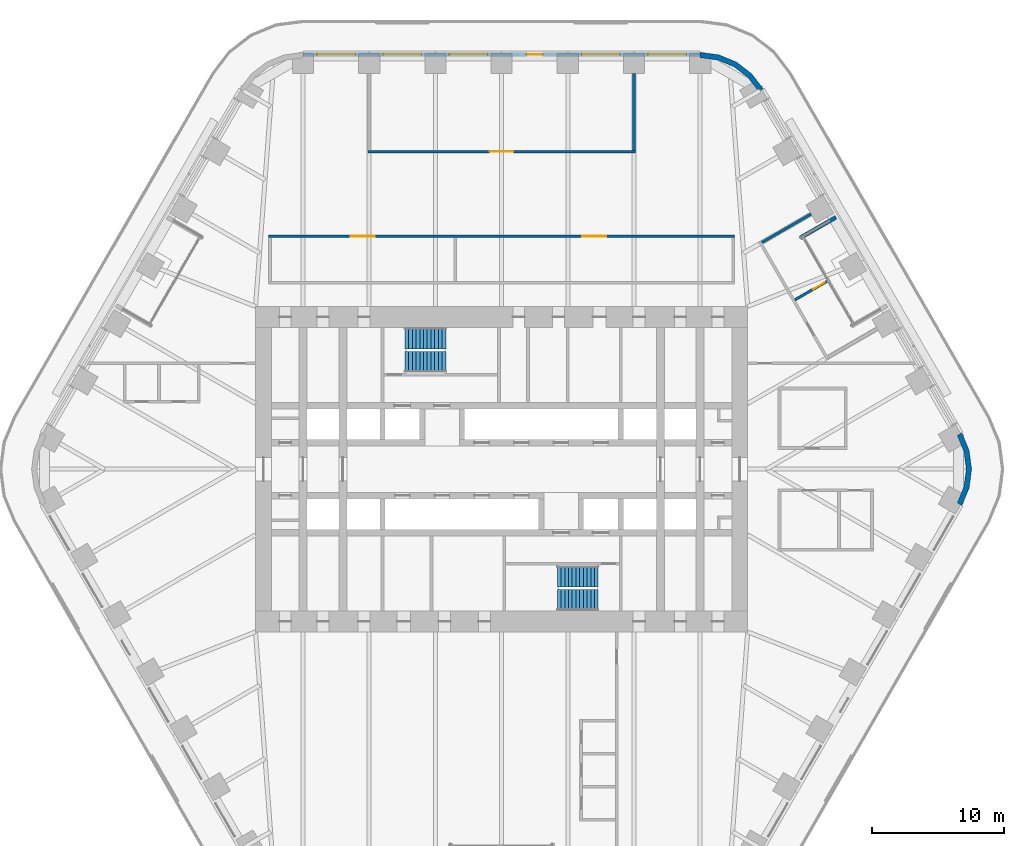
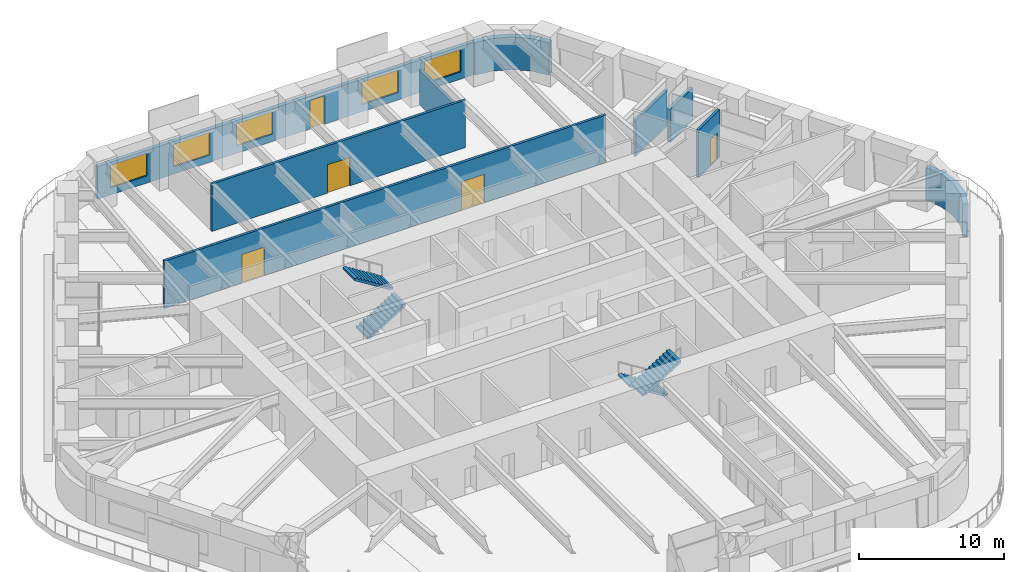
# One storey, part 21 of 24: 9 walls, 5 doors, 5 windows, 4 stair flights, 10 openings, 2 elements without a shape of their own.
"""IFC4 building model written with IfcOpenShell, lengths in metres."""

from ifc_helpers import new_model, si_unit, direction, frame, frame_2d, origin, place, context, subcontext, project, spatial, polyline, rectangle, outline, extrude, material, layer, layer_set, type_object, element, fill, aggregate, save


model = new_model("IFC4")

# Units and contexts
model_context = context("Model", 3, precision=1e-05, world=origin(), true_north=direction((0.0, 1.0)))
body_context = subcontext(model_context, "Body", "Model", "MODEL_VIEW")
ifc_project = project(units=[si_unit("LENGTHUNIT", "METRE"), si_unit("AREAUNIT", "SQUARE_METRE"), si_unit("VOLUMEUNIT", "CUBIC_METRE"), si_unit("PLANEANGLEUNIT", "RADIAN"), si_unit("MASSUNIT", "GRAM", prefix="KILO")], contexts=[model_context])

# Site, building, storey
site_placement = place(None, origin())
site = spatial("IfcSite", under=ifc_project, at=site_placement, CompositionType="ELEMENT")
building_placement = place(site_placement, origin())
building = spatial("IfcBuilding", under=site, at=building_placement, Name="Tarfa Lantern Tower", CompositionType="ELEMENT")
storey_placement = place(building_placement, frame((0.0, 0.0, 144.699951171875)))
storey = spatial("IfcBuildingStorey", under=building, at=storey_placement, Name="L32", CompositionType="ELEMENT", Elevation=144.699951171875)

# Wall
ifc_material_1 = material(Name="Limestone cladding on blockwork", Category="masonry")
ifc_layer_1 = layer(ifc_material_1, 0.300048828125)
ifc_layer_set_1 = layer_set([ifc_layer_1], Name="EW1 STONE-CLAD WALL 300")
wall_type_1 = type_object("IfcWallType", Name="EW1 STONE-CLAD WALL 300", PredefinedType="SOLIDWALL", material=ifc_layer_set_1)
wall_1_placement = place(storey_placement, frame((25.266357421875, 19.037353515625, 0.0), z_axis=(0.0, 0.0, 1.0), x_axis=(-0.86600983753, -0.500026960575, 0.0)))
element("IfcWall", 1, at=wall_1_placement, inside=storey, type_object=wall_type_1, Name="Loggia return NE 2", PredefinedType="SOLIDWALL", context=body_context, shape_type="SweptSolid", body=[
    extrude(rectangle(XDim=3.099853515625, YDim=0.300048828125, at=frame_2d((1.5498046875, 0.0))), origin(), (0.0, 0.0, 1.0), 2.75),
])

# Wall, openings, door, windows
wall_2_placement = place(storey_placement, frame((15.010986328125, 31.35009765625, 0.0), z_axis=(0.0, 0.0, 1.0), x_axis=(-1.0, 0.0, 0.0)))
wall_2 = element("IfcWall", 2, at=wall_2_placement, inside=storey, type_object=wall_type_1, Name="Stone wall N", PredefinedType="SOLIDWALL", context=body_context, shape_type="SweptSolid", body=[
    extrude(rectangle(XDim=30.02197265625, YDim=0.300048828125, at=frame_2d((15.010986328125, 0.0))), origin(), (0.0, 0.0, 1.0), 2.75),
])
opening_1_placement = place(wall_2_placement, frame((1.0517578125, 0.0, 0.60009765625)))
opening_1 = element("IfcOpeningElement", 3, at=opening_1_placement, cuts=wall_2, Name="Opening W9", PredefinedType="OPENING", context=body_context, shape_type="SweptSolid", body=[
    extrude(rectangle(XDim=2.89990234375, YDim=1.89990234375, at=frame_2d((1.449951171875, 0.949951171875))), frame((0.0, 0.159912109375, 0.0), z_axis=(0.0, -1.0, 0.0), x_axis=(1.0, 0.0, 0.0)), (0.0, 0.0, 1.0), 0.320068359375),
])
opening_2_placement = place(wall_2_placement, frame((6.0556640625, 0.0, 0.60009765625)))
opening_2 = element("IfcOpeningElement", 4, at=opening_2_placement, cuts=wall_2, Name="Opening W9", PredefinedType="OPENING", context=body_context, shape_type="SweptSolid", body=[
    extrude(rectangle(XDim=2.89990234375, YDim=1.89990234375, at=frame_2d((1.449951171875, 0.949951171875))), frame((0.0, 0.159912109375, 0.0), z_axis=(0.0, -1.0, 0.0), x_axis=(1.0, 0.0, 0.0)), (0.0, 0.0, 1.0), 0.320068359375),
])
opening_3_placement = place(wall_2_placement, frame((11.9091796875, 0.0, 0.0)))
opening_3 = element("IfcOpeningElement", 5, at=opening_3_placement, cuts=wall_2, Name="Opening D49", PredefinedType="OPENING", context=body_context, shape_type="SweptSolid", body=[
    extrude(rectangle(XDim=1.199951171875, YDim=2.39990234375, at=frame_2d((0.60009765625, 1.199951171875))), frame((0.0, 0.159912109375, 0.0), z_axis=(0.0, -1.0, 0.0), x_axis=(1.0, 0.0, 0.0)), (0.0, 0.0, 1.0), 0.320068359375),
])
opening_4_placement = place(wall_2_placement, frame((16.06298828125, 0.0, 0.60009765625)))
opening_4 = element("IfcOpeningElement", 6, at=opening_4_placement, cuts=wall_2, Name="Opening W9", PredefinedType="OPENING", context=body_context, shape_type="SweptSolid", body=[
    extrude(rectangle(XDim=2.89990234375, YDim=1.89990234375, at=frame_2d((1.449951171875, 0.949951171875))), frame((0.0, 0.159912109375, 0.0), z_axis=(0.0, -1.0, 0.0), x_axis=(1.0, 0.0, 0.0)), (0.0, 0.0, 1.0), 0.320068359375),
])
opening_5_placement = place(wall_2_placement, frame((21.066650390625, 0.0, 0.60009765625)))
opening_5 = element("IfcOpeningElement", 7, at=opening_5_placement, cuts=wall_2, Name="Opening W9", PredefinedType="OPENING", context=body_context, shape_type="SweptSolid", body=[
    extrude(rectangle(XDim=2.89990234375, YDim=1.89990234375, at=frame_2d((1.449951171875, 0.949951171875))), frame((0.0, 0.159912109375, 0.0), z_axis=(0.0, -1.0, 0.0), x_axis=(1.0, 0.0, 0.0)), (0.0, 0.0, 1.0), 0.320068359375),
])
opening_6_placement = place(wall_2_placement, frame((26.0703125, 0.0, 0.60009765625)))
opening_6 = element("IfcOpeningElement", 8, at=opening_6_placement, cuts=wall_2, Name="Opening W9", PredefinedType="OPENING", context=body_context, shape_type="SweptSolid", body=[
    extrude(rectangle(XDim=2.89990234375, YDim=1.89990234375, at=frame_2d((1.449951171875, 0.949951171875))), frame((0.0, 0.159912109375, 0.0), z_axis=(0.0, -1.0, 0.0), x_axis=(1.0, 0.0, 0.0)), (0.0, 0.0, 1.0), 0.320068359375),
])
ifc_material_2 = material(Name="Aluminium framed glazed door", Category="aluminium")
door_type_1 = type_object("IfcDoorType", Name="BE3 BALCONY DOOR 1200x2400", OperationType="SINGLE_SWING_RIGHT", PredefinedType="DOOR", material=ifc_material_2)
door_1_placement = place(opening_3_placement, origin())
door_1 = element("IfcDoor", 9, at=door_1_placement, inside=storey, type_object=door_type_1, Name="Balcony door N", OperationType="SINGLE_SWING_RIGHT", OverallHeight=2.39990234375, OverallWidth=1.199951171875, PredefinedType="DOOR", context=body_context, shape_type="SweptSolid", body=[
    extrude(rectangle(XDim=1.199951171875, YDim=2.39990234375, at=frame_2d((0.60009765625, 1.199951171875))), frame((0.0, 0.02490234375, 0.0), z_axis=(0.0, -1.0, 0.0), x_axis=(1.0, 0.0, 0.0)), (0.0, 0.0, 1.0), 0.050048828125),
])
fill(opening_3, door_1)
ifc_material_3 = material(Name="Aluminium frame, double glazed", Category="aluminium")
window_type = type_object("IfcWindowType", Name="W9 FULL-HEIGHT GLAZING 2900x1900", PartitioningType="SINGLE_PANEL", PredefinedType="WINDOW", material=ifc_material_3)
window_1_placement = place(opening_1_placement, origin())
window_1 = element("IfcWindow", 10, at=window_1_placement, inside=storey, type_object=window_type, Name="Window N 1", OverallHeight=1.89990234375, OverallWidth=2.89990234375, PartitioningType="SINGLE_PANEL", PredefinedType="WINDOW", context=body_context, shape_type="SweptSolid", body=[
    extrude(rectangle(XDim=2.89990234375, YDim=1.89990234375, at=frame_2d((1.449951171875, 0.949951171875))), frame((0.0, 0.030029296875, 0.0), z_axis=(0.0, -1.0, 0.0), x_axis=(1.0, 0.0, 0.0)), (0.0, 0.0, 1.0), 0.06005859375),
])
fill(opening_1, window_1)
window_2_placement = place(opening_2_placement, origin())
window_2 = element("IfcWindow", 11, at=window_2_placement, inside=storey, type_object=window_type, Name="Window N 2", OverallHeight=1.89990234375, OverallWidth=2.89990234375, PartitioningType="SINGLE_PANEL", PredefinedType="WINDOW", context=body_context, shape_type="SweptSolid", body=[
    extrude(rectangle(XDim=2.89990234375, YDim=1.89990234375, at=frame_2d((1.449951171875, 0.949951171875))), frame((0.0, 0.030029296875, 0.0), z_axis=(0.0, -1.0, 0.0), x_axis=(1.0, 0.0, 0.0)), (0.0, 0.0, 1.0), 0.06005859375),
])
fill(opening_2, window_2)
window_3_placement = place(opening_4_placement, origin())
window_3 = element("IfcWindow", 12, at=window_3_placement, inside=storey, type_object=window_type, Name="Window N 4", OverallHeight=1.89990234375, OverallWidth=2.89990234375, PartitioningType="SINGLE_PANEL", PredefinedType="WINDOW", context=body_context, shape_type="SweptSolid", body=[
    extrude(rectangle(XDim=2.89990234375, YDim=1.89990234375, at=frame_2d((1.449951171875, 0.949951171875))), frame((0.0, 0.030029296875, 0.0), z_axis=(0.0, -1.0, 0.0), x_axis=(1.0, 0.0, 0.0)), (0.0, 0.0, 1.0), 0.06005859375),
])
fill(opening_4, window_3)
window_4_placement = place(opening_5_placement, origin())
window_4 = element("IfcWindow", 13, at=window_4_placement, inside=storey, type_object=window_type, Name="Window N 5", OverallHeight=1.89990234375, OverallWidth=2.89990234375, PartitioningType="SINGLE_PANEL", PredefinedType="WINDOW", context=body_context, shape_type="SweptSolid", body=[
    extrude(rectangle(XDim=2.89990234375, YDim=1.89990234375, at=frame_2d((1.449951171875, 0.949951171875))), frame((0.0, 0.030029296875, 0.0), z_axis=(0.0, -1.0, 0.0), x_axis=(1.0, 0.0, 0.0)), (0.0, 0.0, 1.0), 0.06005859375),
])
fill(opening_5, window_4)
window_5_placement = place(opening_6_placement, origin())
window_5 = element("IfcWindow", 14, at=window_5_placement, inside=storey, type_object=window_type, Name="Window N 6", OverallHeight=1.89990234375, OverallWidth=2.89990234375, PartitioningType="SINGLE_PANEL", PredefinedType="WINDOW", context=body_context, shape_type="SweptSolid", body=[
    extrude(rectangle(XDim=2.89990234375, YDim=1.89990234375, at=frame_2d((1.449951171875, 0.949951171875))), frame((0.0, 0.030029296875, 0.0), z_axis=(0.0, -1.0, 0.0), x_axis=(1.0, 0.0, 0.0)), (0.0, 0.0, 1.0), 0.06005859375),
])
fill(opening_6, window_5)

# Walls
ifc_layer_2 = layer(ifc_material_1, 0.39990234375)
ifc_layer_set_2 = layer_set([ifc_layer_2], Name="EW2 CURVED STONE CORNER 400")
wall_type_2 = type_object("IfcWallType", Name="EW2 CURVED STONE CORNER 400", PredefinedType="SOLIDWALL", material=ifc_layer_set_2)
wall_3_placement = place(storey_placement, origin())
element("IfcWall", 15, at=wall_3_placement, inside=storey, type_object=wall_type_2, Name="Stone corner NE-N", PredefinedType="SOLIDWALL", context=body_context, shape_type="SweptSolid", body=[
    extrude(outline(polyline([(19.774169921875, 28.75), (18.900146484375, 29.88916015625), (17.760986328125, 30.76318359375), (16.4345703125, 31.3125), (15.010986328125, 31.5), (15.010986328125, 31.10009765625), (16.3310546875, 30.92626953125), (17.56103515625, 30.416748046875), (18.617431640625, 29.606201171875), (19.427734375, 28.550048828125), (19.774169921875, 28.75)])), origin(), (0.0, 0.0, 1.0), 2.75),
])
wall_4_placement = place(storey_placement, origin())
element("IfcWall", 16, at=wall_4_placement, inside=storey, type_object=wall_type_2, Name="Stone corner SE-NE", PredefinedType="SOLIDWALL", context=body_context, shape_type="SweptSolid", body=[
    extrude(outline(polyline([(34.785400390625, -2.75), (35.334716796875, -1.423583984375), (35.522216796875, 0.0), (35.334716796875, 1.423583984375), (34.785400390625, 2.75), (34.43896484375, 2.550048828125), (34.948486328125, 1.320068359375), (35.122314453125, 0.0), (34.948486328125, -1.320068359375), (34.43896484375, -2.550048828125), (34.785400390625, -2.75)])), origin(), (0.0, 0.0, 1.0), 2.75),
])

# Wall, openings, doors
ifc_material_4 = material(Name="Gypsum board on steel studs", Category="steel")
ifc_layer_3 = layer(ifc_material_4, 0.2099609375)
ifc_layer_set_3 = layer_set([ifc_layer_3], Name="IW2 ACOUSTIC PARTITION 200")
wall_type_3 = type_object("IfcWallType", Name="IW2 ACOUSTIC PARTITION 200", PredefinedType="PARTITIONING", material=ifc_layer_set_3)
wall_5_placement = place(storey_placement, frame((-17.60009765625, 17.60009765625, 0.0), z_axis=(0.0, 0.0, 1.0), x_axis=(1.0, 0.0, 0.0)))
wall_5 = element("IfcWall", 17, at=wall_5_placement, inside=storey, type_object=wall_type_3, Name="Partition", PredefinedType="PARTITIONING", context=body_context, shape_type="SweptSolid", body=[
    extrude(rectangle(XDim=35.2001953125, YDim=0.199951171875, at=frame_2d((17.60009765625, 0.0))), origin(), (0.0, 0.0, 1.0), 4.0),
])
opening_7_placement = place(wall_5_placement, frame((6.199951171875, 0.0, 0.0)))
opening_7 = element("IfcOpeningElement", 18, at=opening_7_placement, cuts=wall_5, Name="Opening D39", PredefinedType="OPENING", context=body_context, shape_type="SweptSolid", body=[
    extrude(rectangle(XDim=1.800048828125, YDim=2.39990234375, at=frame_2d((0.89990234375, 1.199951171875))), frame((0.0, 0.10986328125, 0.0), z_axis=(0.0, -1.0, 0.0), x_axis=(1.0, 0.0, 0.0)), (0.0, 0.0, 1.0), 0.219970703125),
])
opening_8_placement = place(wall_5_placement, frame((23.699951171875, 0.0, 0.0)))
opening_8 = element("IfcOpeningElement", 19, at=opening_8_placement, cuts=wall_5, Name="Opening D40", PredefinedType="OPENING", context=body_context, shape_type="SweptSolid", body=[
    extrude(rectangle(XDim=1.800048828125, YDim=2.39990234375, at=frame_2d((0.89990234375, 1.199951171875))), frame((0.0, 0.10986328125, 0.0), z_axis=(0.0, -1.0, 0.0), x_axis=(1.0, 0.0, 0.0)), (0.0, 0.0, 1.0), 0.219970703125),
])
ifc_material_5 = material(Name="Timber door", Category="wood")
door_type_2 = type_object("IfcDoorType", Name="DR2 ROOM DOOR 1800x2400", OperationType="DOUBLE_DOOR_SINGLE_SWING", PredefinedType="DOOR", material=ifc_material_5)
door_2_placement = place(opening_7_placement, frame((1.800048828125, 0.0, 0.0), z_axis=(0.0, 0.0, 1.0), x_axis=(-1.0, 0.0, 0.0)))
door_2 = element("IfcDoor", 20, at=door_2_placement, inside=storey, type_object=door_type_2, Name="Dealer support room door", OperationType="DOUBLE_DOOR_SINGLE_SWING", OverallHeight=2.39990234375, OverallWidth=1.800048828125, PredefinedType="DOOR", context=body_context, shape_type="SweptSolid", body=[
    extrude(rectangle(XDim=1.800048828125, YDim=2.39990234375, at=frame_2d((0.89990234375, 1.199951171875))), frame((0.0, 0.02490234375, 0.0), z_axis=(0.0, -1.0, 0.0), x_axis=(1.0, 0.0, 0.0)), (0.0, 0.0, 1.0), 0.050048828125),
])
fill(opening_7, door_2)
door_3_placement = place(opening_8_placement, frame((1.800048828125, 0.0, 0.0), z_axis=(0.0, 0.0, 1.0), x_axis=(-1.0, 0.0, 0.0)))
door_3 = element("IfcDoor", 21, at=door_3_placement, inside=storey, type_object=door_type_2, Name="Settlement office door", OperationType="DOUBLE_DOOR_SINGLE_SWING", OverallHeight=2.39990234375, OverallWidth=1.800048828125, PredefinedType="DOOR", context=body_context, shape_type="SweptSolid", body=[
    extrude(rectangle(XDim=1.800048828125, YDim=2.39990234375, at=frame_2d((0.89990234375, 1.199951171875))), frame((0.0, 0.02490234375, 0.0), z_axis=(0.0, -1.0, 0.0), x_axis=(1.0, 0.0, 0.0)), (0.0, 0.0, 1.0), 0.050048828125),
])
fill(opening_8, door_3)

# Wall, opening, door
wall_6_placement = place(storey_placement, frame((10.107421875, 24.0, 0.0), z_axis=(0.0, 0.0, 1.0), x_axis=(-1.0, 0.0, 0.0)))
wall_6 = element("IfcWall", 22, at=wall_6_placement, inside=storey, type_object=wall_type_3, Name="Partition", PredefinedType="PARTITIONING", context=body_context, shape_type="SweptSolid", body=[
    extrude(rectangle(XDim=20.21484375, YDim=0.199951171875, at=frame_2d((10.107421875, 0.0))), origin(), (0.0, 0.0, 1.0), 4.0),
])
opening_9_placement = place(wall_6_placement, frame((9.20751953125, 0.0, 0.0)))
opening_9 = element("IfcOpeningElement", 23, at=opening_9_placement, cuts=wall_6, Name="Opening D36", PredefinedType="OPENING", context=body_context, shape_type="SweptSolid", body=[
    extrude(rectangle(XDim=1.800048828125, YDim=2.39990234375, at=frame_2d((0.89990234375, 1.199951171875))), frame((0.0, 0.10986328125, 0.0), z_axis=(0.0, -1.0, 0.0), x_axis=(1.0, 0.0, 0.0)), (0.0, 0.0, 1.0), 0.219970703125),
])
door_4_placement = place(opening_9_placement, frame((1.800048828125, 0.0, 0.0), z_axis=(0.0, 0.0, 1.0), x_axis=(-1.0, 0.0, 0.0)))
door_4 = element("IfcDoor", 24, at=door_4_placement, inside=storey, type_object=door_type_2, Name="Dealing room door", OperationType="DOUBLE_DOOR_SINGLE_SWING", OverallHeight=2.39990234375, OverallWidth=1.800048828125, PredefinedType="DOOR", context=body_context, shape_type="SweptSolid", body=[
    extrude(rectangle(XDim=1.800048828125, YDim=2.39990234375, at=frame_2d((0.89990234375, 1.199951171875))), frame((0.0, 0.02490234375, 0.0), z_axis=(0.0, -1.0, 0.0), x_axis=(1.0, 0.0, 0.0)), (0.0, 0.0, 1.0), 0.050048828125),
])
fill(opening_9, door_4)

# Wall
wall_7_placement = place(storey_placement, frame((10.00732421875, 24.10009765625, 0.0), z_axis=(0.0, 0.0, 1.0), x_axis=(0.0, 1.0, 0.0)))
element("IfcWall", 25, at=wall_7_placement, inside=storey, type_object=wall_type_3, Name="Partition", PredefinedType="PARTITIONING", context=body_context, shape_type="SweptSolid", body=[
    extrude(rectangle(XDim=5.7998046875, YDim=0.199951171875, at=frame_2d((2.89990234375, 0.0))), origin(), (0.0, 0.0, 1.0), 2.991943359375),
])

# Wall, opening, door
wall_8_placement = place(storey_placement, frame((22.170166015625, 12.800048828125, 0.0), z_axis=(0.0, 0.0, 1.0), x_axis=(0.866044046824, 0.499967707918, 0.0)))
wall_8 = element("IfcWall", 26, at=wall_8_placement, inside=storey, type_object=wall_type_3, Name="Partition", PredefinedType="PARTITIONING", context=body_context, shape_type="SweptSolid", body=[
    extrude(rectangle(XDim=2.901123046875, YDim=0.199951171875, at=frame_2d((1.45068359375, 0.0))), origin(), (0.0, 0.0, 1.0), 4.0),
])
opening_10_placement = place(wall_8_placement, frame((1.60009765625, 0.0, 0.0)))
opening_10 = element("IfcOpeningElement", 27, at=opening_10_placement, cuts=wall_8, Name="Opening D38", PredefinedType="OPENING", context=body_context, shape_type="SweptSolid", body=[
    extrude(rectangle(XDim=1.0, YDim=2.199951171875, at=frame_2d((0.5, 1.10009765625))), frame((0.0, 0.10986328125, 0.0), z_axis=(0.0, -1.0, 0.0), x_axis=(1.0, 0.0, 0.0)), (0.0, 0.0, 1.0), 0.219970703125),
])
door_type_3 = type_object("IfcDoorType", Name="DR1 ROOM DOOR 1000x2200", OperationType="SINGLE_SWING_LEFT", PredefinedType="DOOR", material=ifc_material_5)
door_5_placement = place(opening_10_placement, frame((1.0, 0.0, 0.0), z_axis=(0.0, 0.0, 1.0), x_axis=(-1.0, 0.0, 0.0)))
door_5 = element("IfcDoor", 28, at=door_5_placement, inside=storey, type_object=door_type_3, Name="Treasurer's office door", OperationType="SINGLE_SWING_RIGHT", OverallHeight=2.199951171875, OverallWidth=1.0, PredefinedType="DOOR", context=body_context, shape_type="SweptSolid", body=[
    extrude(rectangle(XDim=1.0, YDim=2.199951171875, at=frame_2d((0.5, 1.10009765625))), frame((0.0, 0.02490234375, 0.0), z_axis=(0.0, -1.0, 0.0), x_axis=(1.0, 0.0, 0.0)), (0.0, 0.0, 1.0), 0.050048828125),
])
fill(opening_10, door_5)

# Wall
wall_9_placement = place(storey_placement, frame((19.66845703125, 17.13330078125, 0.0), z_axis=(0.0, 0.0, 1.0), x_axis=(0.866008775485, 0.500028799954, 0.0)))
element("IfcWall", 29, at=wall_9_placement, inside=storey, type_object=wall_type_3, Name="Partition", PredefinedType="PARTITIONING", context=body_context, shape_type="SweptSolid", body=[
    extrude(rectangle(XDim=4.300048828125, YDim=0.199951171875, at=frame_2d((2.14990234375, 0.0))), origin(), (0.0, 0.0, 1.0), 3.08154296875),
])

# Stair, stair flights
ifc_material_6 = material(Name="Concrete C40/50", Category="concrete")
stair_type = type_object("IfcStairType", Name="ST-T10 HALF-TURN STAIR 4200 RISE", PredefinedType="HALF_TURN_STAIR", material=ifc_material_6)
stair_1_placement = place(storey_placement, origin())
stair_1 = element("IfcStair", 30, at=stair_1_placement, inside=storey, type_object=stair_type, Name="Stair ST1", PredefinedType="HALF_TURN_STAIR")
stair_flight_type = type_object("IfcStairFlightType", Name="SF1 STAIR FLIGHT", PredefinedType="STRAIGHT", material=ifc_material_6)
stair_flight_1_placement = place(storey_placement, frame((-7.300048828125, 8.10009765625, 0.0), z_axis=(0.0, 0.0, 1.0), x_axis=(1.0, 0.0, 0.0)))
stair_flight_1 = element("IfcStairFlight", 31, at=stair_flight_1_placement, type_object=stair_flight_type, Name="ST1 flight 1", NumberOfRisers=12, NumberOfTreads=11, PredefinedType="STRAIGHT", RiserHeight=0.175, TreadLength=0.28, context=body_context, shape_type="SweptSolid", body=[
    extrude(outline(polyline([(0.0, 0.0), (0.0, 0.175048828125), (0.280029296875, 0.175048828125), (0.280029296875, 0.35009765625), (0.56005859375, 0.35009765625), (0.56005859375, 0.52490234375), (0.840087890625, 0.52490234375), (0.840087890625, 0.699951171875), (1.1201171875, 0.699951171875), (1.1201171875, 0.875), (1.39990234375, 0.875), (1.39990234375, 1.050048828125), (1.679931640625, 1.050048828125), (1.679931640625, 1.22509765625), (1.9599609375, 1.22509765625), (1.9599609375, 1.39990234375), (2.239990234375, 1.39990234375), (2.239990234375, 1.574951171875), (2.52001953125, 1.574951171875), (2.52001953125, 1.75), (2.800048828125, 1.75), (2.800048828125, 1.925048828125), (3.080078125, 1.925048828125), (3.080078125, 2.10009765625), (3.080078125, 1.748291015625), (0.28271484375, 0.0), (0.0, 0.0)])), frame((0.0, 0.800048828125, 0.0), z_axis=(0.0, -1.0, 0.0), x_axis=(1.0, 0.0, 0.0)), (0.0, 0.0, 1.0), 1.60009765625),
])
stair_flight_2_placement = place(storey_placement, frame((-4.219970703125, 9.89990234375, 2.10009765625), z_axis=(0.0, 0.0, 1.0), x_axis=(-1.0, 0.0, 0.0)))
stair_flight_2 = element("IfcStairFlight", 32, at=stair_flight_2_placement, type_object=stair_flight_type, Name="ST1 flight 2", NumberOfRisers=12, NumberOfTreads=11, PredefinedType="STRAIGHT", RiserHeight=0.175, TreadLength=0.28, context=body_context, shape_type="SweptSolid", body=[
    extrude(outline(polyline([(0.0, 0.0), (0.0, 0.175048828125), (0.280029296875, 0.175048828125), (0.280029296875, 0.35009765625), (0.56005859375, 0.35009765625), (0.56005859375, 0.52490234375), (0.840087890625, 0.52490234375), (0.840087890625, 0.699951171875), (1.1201171875, 0.699951171875), (1.1201171875, 0.875), (1.39990234375, 0.875), (1.39990234375, 1.050048828125), (1.679931640625, 1.050048828125), (1.679931640625, 1.22509765625), (1.9599609375, 1.22509765625), (1.9599609375, 1.39990234375), (2.239990234375, 1.39990234375), (2.239990234375, 1.574951171875), (2.52001953125, 1.574951171875), (2.52001953125, 1.75), (2.800048828125, 1.75), (2.800048828125, 1.925048828125), (3.080078125, 1.925048828125), (3.080078125, 2.10009765625), (3.080078125, 1.748291015625), (0.28271484375, 0.0), (0.0, 0.0)])), frame((0.0, 0.800048828125, 0.0), z_axis=(0.0, -1.0, 0.0), x_axis=(1.0, 0.0, 0.0)), (0.0, 0.0, 1.0), 1.60009765625),
])
aggregate(stair_1, [stair_flight_1, stair_flight_2])

stair_2_placement = place(storey_placement, origin())
stair_2 = element("IfcStair", 33, at=stair_2_placement, inside=storey, type_object=stair_type, Name="Stair ST2", PredefinedType="HALF_TURN_STAIR")
stair_flight_3_placement = place(storey_placement, frame((7.300048828125, -8.10009765625, 0.0), z_axis=(0.0, 0.0, 1.0), x_axis=(-1.0, 0.0, 0.0)))
stair_flight_3 = element("IfcStairFlight", 34, at=stair_flight_3_placement, type_object=stair_flight_type, Name="ST2 flight 1", NumberOfRisers=12, NumberOfTreads=11, PredefinedType="STRAIGHT", RiserHeight=0.175, TreadLength=0.28, context=body_context, shape_type="SweptSolid", body=[
    extrude(outline(polyline([(0.0, 0.0), (0.0, 0.175048828125), (0.280029296875, 0.175048828125), (0.280029296875, 0.35009765625), (0.56005859375, 0.35009765625), (0.56005859375, 0.52490234375), (0.840087890625, 0.52490234375), (0.840087890625, 0.699951171875), (1.1201171875, 0.699951171875), (1.1201171875, 0.875), (1.39990234375, 0.875), (1.39990234375, 1.050048828125), (1.679931640625, 1.050048828125), (1.679931640625, 1.22509765625), (1.9599609375, 1.22509765625), (1.9599609375, 1.39990234375), (2.239990234375, 1.39990234375), (2.239990234375, 1.574951171875), (2.52001953125, 1.574951171875), (2.52001953125, 1.75), (2.800048828125, 1.75), (2.800048828125, 1.925048828125), (3.080078125, 1.925048828125), (3.080078125, 2.10009765625), (3.080078125, 1.748291015625), (0.28271484375, 0.0), (0.0, 0.0)])), frame((0.0, 0.800048828125, 0.0), z_axis=(0.0, -1.0, 0.0), x_axis=(1.0, 0.0, 0.0)), (0.0, 0.0, 1.0), 1.60009765625),
])
stair_flight_4_placement = place(storey_placement, frame((4.219970703125, -9.89990234375, 2.10009765625), z_axis=(0.0, 0.0, 1.0), x_axis=(1.0, 0.0, 0.0)))
stair_flight_4 = element("IfcStairFlight", 35, at=stair_flight_4_placement, type_object=stair_flight_type, Name="ST2 flight 2", NumberOfRisers=12, NumberOfTreads=11, PredefinedType="STRAIGHT", RiserHeight=0.175, TreadLength=0.28, context=body_context, shape_type="SweptSolid", body=[
    extrude(outline(polyline([(0.0, 0.0), (0.0, 0.175048828125), (0.280029296875, 0.175048828125), (0.280029296875, 0.35009765625), (0.56005859375, 0.35009765625), (0.56005859375, 0.52490234375), (0.840087890625, 0.52490234375), (0.840087890625, 0.699951171875), (1.1201171875, 0.699951171875), (1.1201171875, 0.875), (1.39990234375, 0.875), (1.39990234375, 1.050048828125), (1.679931640625, 1.050048828125), (1.679931640625, 1.22509765625), (1.9599609375, 1.22509765625), (1.9599609375, 1.39990234375), (2.239990234375, 1.39990234375), (2.239990234375, 1.574951171875), (2.52001953125, 1.574951171875), (2.52001953125, 1.75), (2.800048828125, 1.75), (2.800048828125, 1.925048828125), (3.080078125, 1.925048828125), (3.080078125, 2.10009765625), (3.080078125, 1.748291015625), (0.28271484375, 0.0), (0.0, 0.0)])), frame((0.0, 0.800048828125, 0.0), z_axis=(0.0, -1.0, 0.0), x_axis=(1.0, 0.0, 0.0)), (0.0, 0.0, 1.0), 1.60009765625),
])
aggregate(stair_2, [stair_flight_3, stair_flight_4])

save(model, "model.ifc")
